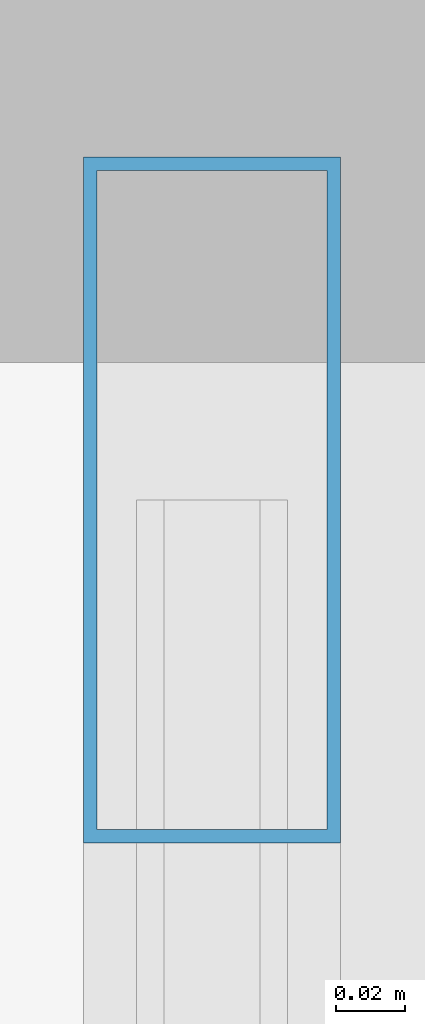
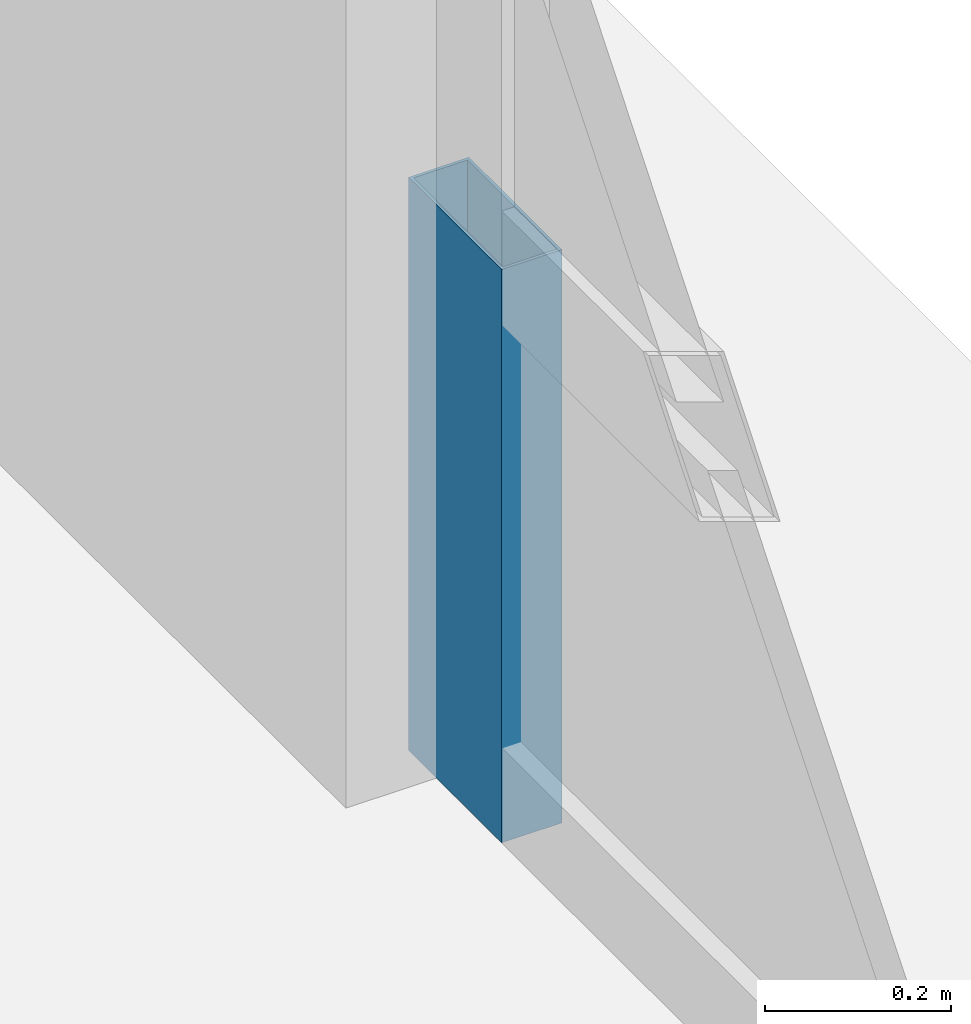
# One storey, part 28 of 35: 1 member, 1 element without a shape of its own.
"""IFC4 building model written with IfcOpenShell, lengths in metres."""

from ifc_helpers import new_model, si_unit, direction, frame, origin, origin_2d, place, context, subcontext, project, spatial, hollow_rectangle, extrude, source, transform, mapped, material, layer, layer_set, material_profile, profile_set, type_object, element, aggregate, save


model = new_model("IFC4")

# Units and contexts
model_context = context("Model", 3, precision=1e-05, world=origin(), true_north=direction((0.0, 1.0)))
body_context = subcontext(model_context, "Body", "Model", "MODEL_VIEW")
ifc_project = project(units=[si_unit("LENGTHUNIT", "METRE"), si_unit("AREAUNIT", "SQUARE_METRE"), si_unit("VOLUMEUNIT", "CUBIC_METRE"), si_unit("PLANEANGLEUNIT", "RADIAN"), si_unit("MASSUNIT", "GRAM", prefix="KILO"), si_unit("THERMODYNAMICTEMPERATUREUNIT", "KELVIN"), si_unit("POWERUNIT", "WATT")], contexts=[model_context])

# Site, building, storey
site_placement = place(None, origin())
site = spatial("IfcSite", under=ifc_project, at=site_placement, CompositionType="ELEMENT")
building_placement = place(site_placement, origin())
building = spatial("IfcBuilding", under=site, at=building_placement, Name="Yuzanri Waterfront Tower", CompositionType="ELEMENT")
storey_placement = place(building_placement, frame((0.0, 0.0, 314.699951171875)))
storey = spatial("IfcBuildingStorey", under=building, at=storey_placement, Name="L84", CompositionType="ELEMENT", Elevation=314.699951171875)

# Curtain wall, member
ifc_material_1 = material(Name="Anodized Architectural Bronze", Category="metal")
ifc_layer = layer(ifc_material_1, 0.159912109375)
ifc_layer_set = layer_set([ifc_layer], Name="Anodized Architectural Bronze")
curtain_wall_type = type_object("IfcCurtainWallType", Name="Anodized Bronze High-Rise Penthouse High-Wind Unitized Curtain Wall 6900", PredefinedType="NOTDEFINED", material=ifc_layer_set)
curtain_wall_placement = place(storey_placement, origin())
curtain_wall = element("IfcCurtainWall", 1, at=curtain_wall_placement, inside=storey, type_object=curtain_wall_type, Name="L84 Curtain Wall CW-L84-ER", PredefinedType="NOTDEFINED")
ifc_material_2 = material(Name="Anodized Architectural Bronze", Category="metal")
ifc_material_profile = material_profile(ifc_material_2, hollow_rectangle(XDim=0.074951171875, YDim=0.199951171875, WallThickness=0.00390625, at=origin_2d()), Name="CWM 75x200")
ifc_profile_set = profile_set([ifc_material_profile], Name="Anodized Architectural Bronze")
member_type = type_object("IfcMemberType", Name="Anodized Bronze Primary Curtain-Wall Mullion 75x200", PredefinedType="MULLION", material=ifc_profile_set)
shared_shape = source(origin(), body_context, "Body", "SweptSolid", [
    extrude(hollow_rectangle(XDim=0.074951171875, YDim=0.199951171875, WallThickness=0.00390625, at=origin_2d()), origin(), (0.0, 0.0, 1.0), 0.751953125),
])
member_placement = place(storey_placement, frame((55.949951171875, 37.510009765625, 0.0), z_axis=(0.0, 0.0, 1.0), x_axis=(1.0, 0.0, 0.0)))
member = element("IfcMember", 2, at=member_placement, type_object=member_type, Name="CW-L84-ER Lower Mullion 02", PredefinedType="MULLION", context=body_context, shape_type="MappedRepresentation", body=[
    mapped(shared_shape, transform((0.0, 0.0, 0.0), scale=1.0)),
])
aggregate(curtain_wall, [member])

save(model, "model.ifc")
